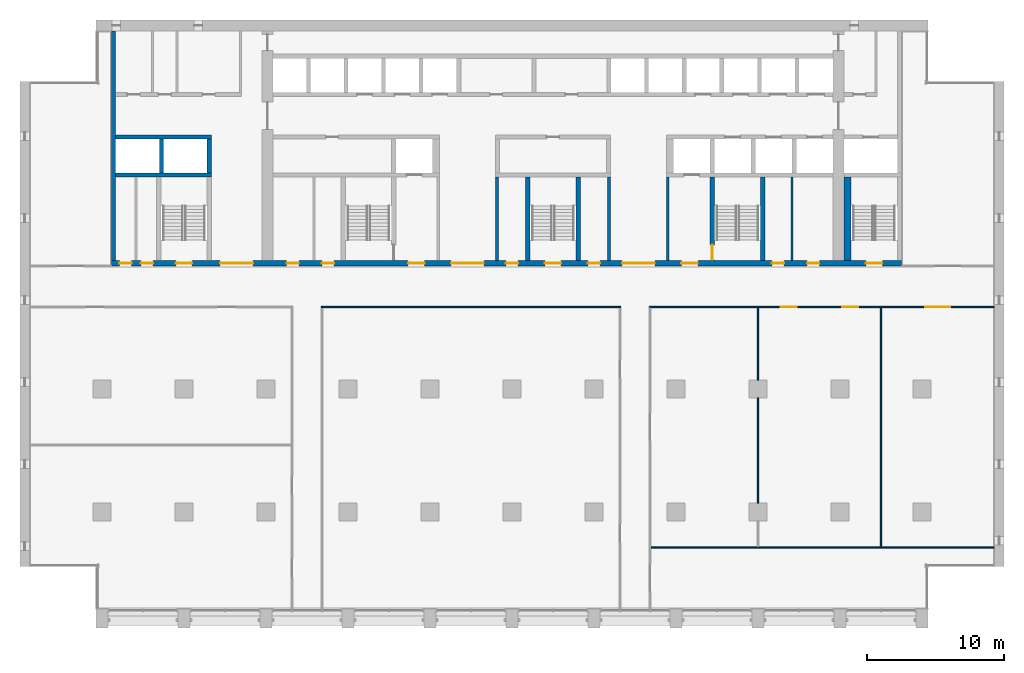
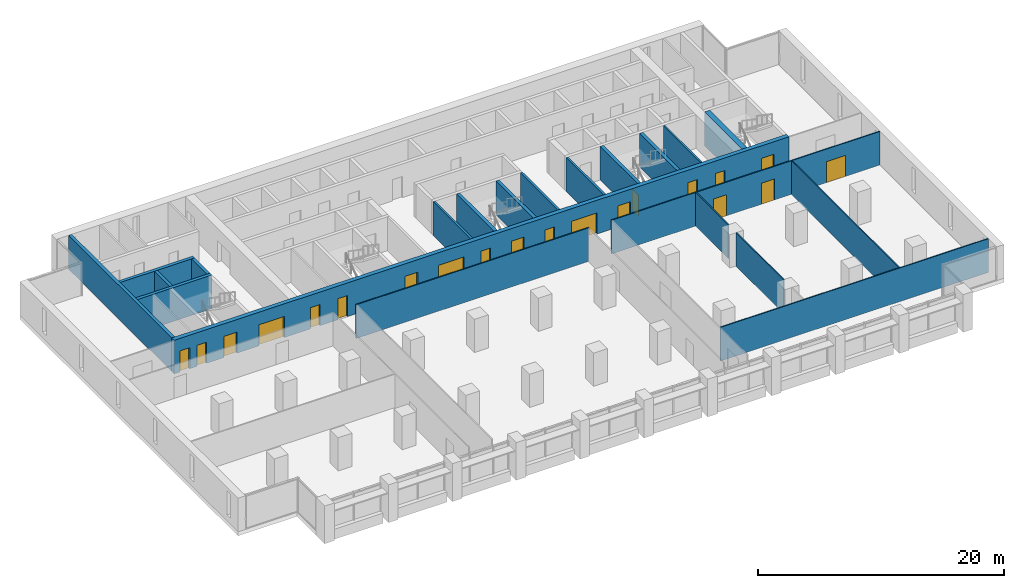
# One storey, part 9 of 15: 21 walls, 20 doors, 20 openings.
"""IFC4 building model written with IfcOpenShell, lengths in metres."""

from ifc_helpers import new_model, si_unit, direction, frame, frame_2d, origin, place, context, subcontext, project, spatial, rectangle, extrude, material, layer, layer_set, type_object, element, fill, save


model = new_model("IFC4")

# Units and contexts
model_context = context("Model", 3, precision=1e-05, world=origin(), true_north=direction((0.0, 1.0)))
body_context = subcontext(model_context, "Body", "Model", "MODEL_VIEW")
ifc_project = project(units=[si_unit("LENGTHUNIT", "METRE"), si_unit("AREAUNIT", "SQUARE_METRE"), si_unit("VOLUMEUNIT", "CUBIC_METRE"), si_unit("PLANEANGLEUNIT", "RADIAN"), si_unit("MASSUNIT", "GRAM", prefix="KILO")], contexts=[model_context])

# Site, building, storey
site_placement = place(None, origin())
site = spatial("IfcSite", under=ifc_project, at=site_placement, CompositionType="ELEMENT")
building_placement = place(site_placement, origin())
building = spatial("IfcBuilding", under=site, at=building_placement, Name="Calvaro Tower", CompositionType="ELEMENT")
storey_placement = place(building_placement, frame((0.0, 0.0, 132.5)))
storey = spatial("IfcBuildingStorey", under=building, at=storey_placement, Name="L33", CompositionType="ELEMENT", Elevation=132.5)

# Walls
ifc_material_1 = material(Name="Blockwork partition", Category="masonry")
ifc_layer_1 = layer(ifc_material_1, 0.14990234375)
ifc_layer_set_1 = layer_set([ifc_layer_1], Name="Blockwork partition")
wall_type_1 = type_object("IfcWallType", Name="Core partition 150 EI 60", PredefinedType="PARTITIONING", material=ifc_layer_set_1)
wall_1_placement = place(storey_placement, frame((56.5, 28.39990234375, 0.0), z_axis=(0.0, 0.0, 1.0), x_axis=(0.0, 1.0, 0.0)))
element("IfcWall", 1, at=wall_1_placement, inside=storey, type_object=wall_type_1, Name="Core partition", PredefinedType="PARTITIONING", context=body_context, shape_type="SweptSolid", body=[
    extrude(rectangle(XDim=6.10009765625, YDim=0.14990234375, at=frame_2d((3.050048828125, 0.0))), origin(), (0.0, 0.0, 1.0), 3.35009765625),
])
ifc_material_2 = material(Name="Blockwork partition", Category="masonry")
ifc_layer_2 = layer(ifc_material_2, 0.199951171875)
ifc_layer_set_2 = layer_set([ifc_layer_2], Name="Blockwork partition")
wall_type_2 = type_object("IfcWallType", Name="Core partition 200 REI 120", PredefinedType="PARTITIONING", material=ifc_layer_set_2)
for number, where, z_axis, x_axis, name in (
    (2, (34.89990234375, 28.39990234375, 0.0), (0.0, 0.0, 1.0), (0.0, 1.0, 0.0), "Core partition"),
    (3, (43.10009765625, 28.39990234375, 0.0), (0.0, 0.0, 1.0), (0.0, 1.0, 0.0), "Core partition"),
    (4, (47.39990234375, 28.39990234375, 0.0), (0.0, 0.0, 1.0), (0.0, 1.0, 0.0), "Core partition"),
):
    element("IfcWall", number, at=place(storey_placement, frame(where, z_axis=z_axis, x_axis=x_axis)), inside=storey, type_object=wall_type_2, Name=name, PredefinedType="PARTITIONING", context=body_context, shape_type="SweptSolid", body=[
        extrude(rectangle(XDim=6.10009765625, YDim=0.199951171875, at=frame_2d((3.050048828125, 0.0))), origin(), (0.0, 0.0, 1.0), 3.35009765625),
    ])
ifc_material_3 = material(Name="Concrete C60/75", Category="concrete")
ifc_layer_3 = layer(ifc_material_3, 0.300048828125)
ifc_layer_set_3 = layer_set([ifc_layer_3], Name="Concrete C60/75")
wall_type_3 = type_object("IfcWallType", Name="Core wall C60/75 300", PredefinedType="SHEAR", material=ifc_layer_set_3)
wall_2_placement = place(storey_placement, frame((6.85009765625, 28.39990234375, 0.0), z_axis=(0.0, 0.0, 1.0), x_axis=(0.0, 1.0, 0.0)))
element("IfcWall", 5, at=wall_2_placement, inside=storey, type_object=wall_type_3, Name="Core wall, boundary", PredefinedType="SHEAR", context=body_context, shape_type="SweptSolid", body=[
    extrude(rectangle(XDim=16.800048828125, YDim=0.300048828125, at=frame_2d((8.39990234375, 0.0))), origin(), (0.0, 0.0, 1.0), 3.35009765625),
])
for number, where, z_axis, x_axis, name in (
    (6, (37.14990234375, 28.39990234375, 0.0), (0.0, 0.0, 1.0), (0.0, 1.0, 0.0), "Core wall, stair enclosure"),
    (7, (40.85009765625, 28.39990234375, 0.0), (0.0, 0.0, 1.0), (0.0, 1.0, 0.0), "Core wall, stair enclosure"),
):
    element("IfcWall", number, at=place(storey_placement, frame(where, z_axis=z_axis, x_axis=x_axis)), inside=storey, type_object=wall_type_3, Name=name, PredefinedType="SHEAR", context=body_context, shape_type="SweptSolid", body=[
        extrude(rectangle(XDim=6.10009765625, YDim=0.300048828125, at=frame_2d((3.050048828125, 0.0))), origin(), (0.0, 0.0, 1.0), 3.35009765625),
    ])

# Wall, opening, door
wall_3_placement = place(storey_placement, frame((50.64990234375, 34.5, 0.0), z_axis=(0.0, 0.0, 1.0), x_axis=(0.0, -1.0, 0.0)))
wall_3 = element("IfcWall", 8, at=wall_3_placement, inside=storey, type_object=wall_type_3, Name="Core wall, stair enclosure", PredefinedType="SHEAR", context=body_context, shape_type="SweptSolid", body=[
    extrude(rectangle(XDim=6.10009765625, YDim=0.300048828125, at=frame_2d((3.050048828125, 0.0))), origin(), (0.0, 0.0, 1.0), 3.35009765625),
])
opening_1_placement = place(wall_3_placement, frame((4.949951171875, 0.0, 0.0)))
opening_1 = element("IfcOpeningElement", 9, at=opening_1_placement, cuts=wall_3, Name="Opening FD11D", PredefinedType="OPENING", context=body_context, shape_type="SweptSolid", body=[
    extrude(rectangle(XDim=1.10009765625, YDim=2.10009765625, at=frame_2d((0.550048828125, 1.050048828125))), frame((0.0, 0.159912109375, 0.0), z_axis=(0.0, -1.0, 0.0), x_axis=(1.0, 0.0, 0.0)), (0.0, 0.0, 1.0), 0.320068359375),
])
ifc_material_4 = material(Name="Steel door set", Category="steel")
door_type_1 = type_object("IfcDoorType", Name="Fire door 1100 FD30S", OperationType="SINGLE_SWING_LEFT", PredefinedType="DOOR", material=ifc_material_4)
door_1_placement = place(opening_1_placement, origin())
door_1 = element("IfcDoor", 10, at=door_1_placement, inside=storey, type_object=door_type_1, Name="Fire door", OperationType="SINGLE_SWING_RIGHT", OverallHeight=2.10009765625, OverallWidth=1.10009765625, PredefinedType="DOOR", context=body_context, shape_type="SweptSolid", body=[
    extrude(rectangle(XDim=1.10009765625, YDim=2.10009765625, at=frame_2d((0.550048828125, 1.050048828125))), frame((0.0, 0.02490234375, 0.0), z_axis=(0.0, -1.0, 0.0), x_axis=(1.0, 0.0, 0.0)), (0.0, 0.0, 1.0), 0.050048828125),
])
fill(opening_1, door_1)

# Walls
wall_4_placement = place(storey_placement, frame((54.35009765625, 28.39990234375, 0.0), z_axis=(0.0, 0.0, 1.0), x_axis=(0.0, 1.0, 0.0)))
element("IfcWall", 11, at=wall_4_placement, inside=storey, type_object=wall_type_3, Name="Core wall, stair enclosure", PredefinedType="SHEAR", context=body_context, shape_type="SweptSolid", body=[
    extrude(rectangle(XDim=6.10009765625, YDim=0.300048828125, at=frame_2d((3.050048828125, 0.0))), origin(), (0.0, 0.0, 1.0), 3.35009765625),
])
for number, where, z_axis, x_axis, name in (
    (12, (7.0, 34.64990234375, 0.0), (0.0, 0.0, 1.0), (1.0, 0.0, 0.0), "Core wall, lift shaft"),
    (13, (7.0, 37.449951171875, 0.0), (0.0, 0.0, 1.0), (1.0, 0.0, 0.0), "Core wall, lift shaft"),
):
    element("IfcWall", number, at=place(storey_placement, frame(where, z_axis=z_axis, x_axis=x_axis)), inside=storey, type_object=wall_type_3, Name=name, PredefinedType="SHEAR", context=body_context, shape_type="SweptSolid", body=[
        extrude(rectangle(XDim=7.0, YDim=0.300048828125, at=frame_2d((3.5, 0.0))), origin(), (0.0, 0.0, 1.0), 3.35009765625),
    ])
for number, where, z_axis, x_axis, name in (
    (14, (13.85009765625, 34.800048828125, 0.0), (0.0, 0.0, 1.0), (0.0, 1.0, 0.0), "Core wall, lift shaft"),
    (15, (10.35009765625, 34.800048828125, 0.0), (0.0, 0.0, 1.0), (0.0, 1.0, 0.0), "Core wall, lift shaft"),
):
    element("IfcWall", number, at=place(storey_placement, frame(where, z_axis=z_axis, x_axis=x_axis)), inside=storey, type_object=wall_type_3, Name=name, PredefinedType="SHEAR", context=body_context, shape_type="SweptSolid", body=[
        extrude(rectangle(XDim=2.5, YDim=0.300048828125, at=frame_2d((1.25, 0.0))), origin(), (0.0, 0.0, 1.0), 3.35009765625),
    ])

# Wall, openings, doors
ifc_material_5 = material(Name="Concrete C60/75", Category="concrete")
ifc_layer_4 = layer(ifc_material_5, 0.39990234375)
ifc_layer_set_4 = layer_set([ifc_layer_4], Name="Concrete C60/75")
wall_type_4 = type_object("IfcWallType", Name="Core wall C60/75 400", PredefinedType="SHEAR", material=ifc_layer_set_4)
wall_5_placement = place(storey_placement, frame((6.699951171875, 28.199951171875, 0.0), z_axis=(0.0, 0.0, 1.0), x_axis=(1.0, 0.0, 0.0)))
wall_5 = element("IfcWall", 16, at=wall_5_placement, inside=storey, type_object=wall_type_4, Name="Core wall, front", PredefinedType="SHEAR", context=body_context, shape_type="SweptSolid", body=[
    extrude(rectangle(XDim=57.800048828125, YDim=0.39990234375, at=frame_2d((28.89990234375, 0.0))), origin(), (0.0, 0.0, 1.0), 3.35009765625),
])
opening_2_placement = place(wall_5_placement, frame((12.8125, 0.0, 0.0)))
opening_2 = element("IfcOpeningElement", 17, at=opening_2_placement, cuts=wall_5, Name="Opening RD9E", PredefinedType="OPENING", context=body_context, shape_type="SweptSolid", body=[
    extrude(rectangle(XDim=0.89990234375, YDim=2.10009765625, at=frame_2d((0.449951171875, 1.050048828125))), frame((0.0, 0.2099609375, 0.0), z_axis=(0.0, -1.0, 0.0), x_axis=(1.0, 0.0, 0.0)), (0.0, 0.0, 1.0), 0.419921875),
])
opening_3_placement = place(wall_5_placement, frame((15.387451171875, 0.0, 0.0)))
opening_3 = element("IfcOpeningElement", 18, at=opening_3_placement, cuts=wall_5, Name="Opening RD9E", PredefinedType="OPENING", context=body_context, shape_type="SweptSolid", body=[
    extrude(rectangle(XDim=0.89990234375, YDim=2.10009765625, at=frame_2d((0.449951171875, 1.050048828125))), frame((0.0, 0.2099609375, 0.0), z_axis=(0.0, -1.0, 0.0), x_axis=(1.0, 0.0, 0.0)), (0.0, 0.0, 1.0), 0.419921875),
])
opening_4_placement = place(wall_5_placement, frame((48.3125, 0.0, 0.0)))
opening_4 = element("IfcOpeningElement", 19, at=opening_4_placement, cuts=wall_5, Name="Opening RD9E", PredefinedType="OPENING", context=body_context, shape_type="SweptSolid", body=[
    extrude(rectangle(XDim=0.89990234375, YDim=2.10009765625, at=frame_2d((0.449951171875, 1.050048828125))), frame((0.0, 0.2099609375, 0.0), z_axis=(0.0, -1.0, 0.0), x_axis=(1.0, 0.0, 0.0)), (0.0, 0.0, 1.0), 0.419921875),
])
opening_5_placement = place(wall_5_placement, frame((50.887451171875, 0.0, 0.0)))
opening_5 = element("IfcOpeningElement", 20, at=opening_5_placement, cuts=wall_5, Name="Opening RD9E", PredefinedType="OPENING", context=body_context, shape_type="SweptSolid", body=[
    extrude(rectangle(XDim=0.89990234375, YDim=2.10009765625, at=frame_2d((0.449951171875, 1.050048828125))), frame((0.0, 0.2099609375, 0.0), z_axis=(0.0, -1.0, 0.0), x_axis=(1.0, 0.0, 0.0)), (0.0, 0.0, 1.0), 0.419921875),
])
opening_6_placement = place(wall_5_placement, frame((0.5625, 0.0, 0.0)))
opening_6 = element("IfcOpeningElement", 21, at=opening_6_placement, cuts=wall_5, Name="Opening RD9E", PredefinedType="OPENING", context=body_context, shape_type="SweptSolid", body=[
    extrude(rectangle(XDim=0.89990234375, YDim=2.10009765625, at=frame_2d((0.449951171875, 1.050048828125))), frame((0.0, 0.2099609375, 0.0), z_axis=(0.0, -1.0, 0.0), x_axis=(1.0, 0.0, 0.0)), (0.0, 0.0, 1.0), 0.419921875),
])
opening_7_placement = place(wall_5_placement, frame((2.137451171875, 0.0, 0.0)))
opening_7 = element("IfcOpeningElement", 22, at=opening_7_placement, cuts=wall_5, Name="Opening RD9C", PredefinedType="OPENING", context=body_context, shape_type="SweptSolid", body=[
    extrude(rectangle(XDim=0.89990234375, YDim=2.10009765625, at=frame_2d((0.449951171875, 1.050048828125))), frame((0.0, 0.2099609375, 0.0), z_axis=(0.0, -1.0, 0.0), x_axis=(1.0, 0.0, 0.0)), (0.0, 0.0, 1.0), 0.419921875),
])
opening_8_placement = place(wall_5_placement, frame((4.699951171875, 0.0, 0.0)))
opening_8 = element("IfcOpeningElement", 23, at=opening_8_placement, cuts=wall_5, Name="Opening SD12D", PredefinedType="OPENING", context=body_context, shape_type="SweptSolid", body=[
    extrude(rectangle(XDim=1.199951171875, YDim=2.10009765625, at=frame_2d((0.60009765625, 1.050048828125))), frame((0.0, 0.2099609375, 0.0), z_axis=(0.0, -1.0, 0.0), x_axis=(1.0, 0.0, 0.0)), (0.0, 0.0, 1.0), 0.419921875),
])
opening_9_placement = place(wall_5_placement, frame((31.699951171875, 0.0, 0.0)))
opening_9 = element("IfcOpeningElement", 24, at=opening_9_placement, cuts=wall_5, Name="Opening SD12D", PredefinedType="OPENING", context=body_context, shape_type="SweptSolid", body=[
    extrude(rectangle(XDim=1.199951171875, YDim=2.10009765625, at=frame_2d((0.60009765625, 1.050048828125))), frame((0.0, 0.2099609375, 0.0), z_axis=(0.0, -1.0, 0.0), x_axis=(1.0, 0.0, 0.0)), (0.0, 0.0, 1.0), 0.419921875),
])
opening_10_placement = place(wall_5_placement, frame((55.199951171875, 0.0, 0.0)))
opening_10 = element("IfcOpeningElement", 25, at=opening_10_placement, cuts=wall_5, Name="Opening SD12D", PredefinedType="OPENING", context=body_context, shape_type="SweptSolid", body=[
    extrude(rectangle(XDim=1.199951171875, YDim=2.10009765625, at=frame_2d((0.60009765625, 1.050048828125))), frame((0.0, 0.2099609375, 0.0), z_axis=(0.0, -1.0, 0.0), x_axis=(1.0, 0.0, 0.0)), (0.0, 0.0, 1.0), 0.419921875),
])
opening_11_placement = place(wall_5_placement, frame((21.699951171875, 0.0, 0.0)))
opening_11 = element("IfcOpeningElement", 26, at=opening_11_placement, cuts=wall_5, Name="Opening FD12F", PredefinedType="OPENING", context=body_context, shape_type="SweptSolid", body=[
    extrude(rectangle(XDim=1.199951171875, YDim=2.10009765625, at=frame_2d((0.60009765625, 1.050048828125))), frame((0.0, 0.2099609375, 0.0), z_axis=(0.0, -1.0, 0.0), x_axis=(1.0, 0.0, 0.0)), (0.0, 0.0, 1.0), 0.419921875),
])
opening_12_placement = place(wall_5_placement, frame((41.699951171875, 0.0, 0.0)))
opening_12 = element("IfcOpeningElement", 27, at=opening_12_placement, cuts=wall_5, Name="Opening FD12F", PredefinedType="OPENING", context=body_context, shape_type="SweptSolid", body=[
    extrude(rectangle(XDim=1.199951171875, YDim=2.10009765625, at=frame_2d((0.60009765625, 1.050048828125))), frame((0.0, 0.2099609375, 0.0), z_axis=(0.0, -1.0, 0.0), x_axis=(1.0, 0.0, 0.0)), (0.0, 0.0, 1.0), 0.419921875),
])
opening_13_placement = place(wall_5_placement, frame((24.85009765625, 0.0, 0.0)))
opening_13 = element("IfcOpeningElement", 28, at=opening_13_placement, cuts=wall_5, Name="Opening DD24D", PredefinedType="OPENING", context=body_context, shape_type="SweptSolid", body=[
    extrude(rectangle(XDim=2.39990234375, YDim=2.10009765625, at=frame_2d((1.199951171875, 1.050048828125))), frame((0.0, 0.2099609375, 0.0), z_axis=(0.0, -1.0, 0.0), x_axis=(1.0, 0.0, 0.0)), (0.0, 0.0, 1.0), 0.419921875),
])
opening_14_placement = place(wall_5_placement, frame((37.35009765625, 0.0, 0.0)))
opening_14 = element("IfcOpeningElement", 29, at=opening_14_placement, cuts=wall_5, Name="Opening DD24D", PredefinedType="OPENING", context=body_context, shape_type="SweptSolid", body=[
    extrude(rectangle(XDim=2.39990234375, YDim=2.10009765625, at=frame_2d((1.199951171875, 1.050048828125))), frame((0.0, 0.2099609375, 0.0), z_axis=(0.0, -1.0, 0.0), x_axis=(1.0, 0.0, 0.0)), (0.0, 0.0, 1.0), 0.419921875),
])
opening_15_placement = place(wall_5_placement, frame((7.949951171875, 0.0, 0.0)))
opening_15 = element("IfcOpeningElement", 30, at=opening_15_placement, cuts=wall_5, Name="Opening DD24D", PredefinedType="OPENING", context=body_context, shape_type="SweptSolid", body=[
    extrude(rectangle(XDim=2.39990234375, YDim=2.10009765625, at=frame_2d((1.199951171875, 1.050048828125))), frame((0.0, 0.2099609375, 0.0), z_axis=(0.0, -1.0, 0.0), x_axis=(1.0, 0.0, 0.0)), (0.0, 0.0, 1.0), 0.419921875),
])
opening_16_placement = place(wall_5_placement, frame((28.85009765625, 0.0, 0.0)))
opening_16 = element("IfcOpeningElement", 31, at=opening_16_placement, cuts=wall_5, Name="Opening RD9E", PredefinedType="OPENING", context=body_context, shape_type="SweptSolid", body=[
    extrude(rectangle(XDim=0.89990234375, YDim=2.10009765625, at=frame_2d((0.449951171875, 1.050048828125))), frame((0.0, 0.2099609375, 0.0), z_axis=(0.0, -1.0, 0.0), x_axis=(1.0, 0.0, 0.0)), (0.0, 0.0, 1.0), 0.419921875),
])
opening_17_placement = place(wall_5_placement, frame((34.85009765625, 0.0, 0.0)))
opening_17 = element("IfcOpeningElement", 32, at=opening_17_placement, cuts=wall_5, Name="Opening RD9E", PredefinedType="OPENING", context=body_context, shape_type="SweptSolid", body=[
    extrude(rectangle(XDim=0.89990234375, YDim=2.10009765625, at=frame_2d((0.449951171875, 1.050048828125))), frame((0.0, 0.2099609375, 0.0), z_axis=(0.0, -1.0, 0.0), x_axis=(1.0, 0.0, 0.0)), (0.0, 0.0, 1.0), 0.419921875),
])
ifc_material_6 = material(Name="Steel door set", Category="steel")
door_type_2 = type_object("IfcDoorType", Name="Fire door 1200 FD60S", OperationType="SINGLE_SWING_LEFT", PredefinedType="DOOR", material=ifc_material_6)
door_2_placement = place(opening_11_placement, origin())
door_2 = element("IfcDoor", 33, at=door_2_placement, inside=storey, type_object=door_type_2, Name="Fire door", OperationType="SINGLE_SWING_LEFT", OverallHeight=2.10009765625, OverallWidth=1.199951171875, PredefinedType="DOOR", context=body_context, shape_type="SweptSolid", body=[
    extrude(rectangle(XDim=1.199951171875, YDim=2.10009765625, at=frame_2d((0.60009765625, 1.050048828125))), frame((0.0, 0.02490234375, 0.0), z_axis=(0.0, -1.0, 0.0), x_axis=(1.0, 0.0, 0.0)), (0.0, 0.0, 1.0), 0.050048828125),
])
fill(opening_11, door_2)
door_3_placement = place(opening_12_placement, origin())
door_3 = element("IfcDoor", 34, at=door_3_placement, inside=storey, type_object=door_type_2, Name="Fire door", OperationType="SINGLE_SWING_LEFT", OverallHeight=2.10009765625, OverallWidth=1.199951171875, PredefinedType="DOOR", context=body_context, shape_type="SweptSolid", body=[
    extrude(rectangle(XDim=1.199951171875, YDim=2.10009765625, at=frame_2d((0.60009765625, 1.050048828125))), frame((0.0, 0.02490234375, 0.0), z_axis=(0.0, -1.0, 0.0), x_axis=(1.0, 0.0, 0.0)), (0.0, 0.0, 1.0), 0.050048828125),
])
fill(opening_12, door_3)
ifc_material_7 = material(Name="Steel door set", Category="steel")
door_type_3 = type_object("IfcDoorType", Name="Lobby double door 2400 FD30S", OperationType="DOUBLE_DOOR_SINGLE_SWING", PredefinedType="DOOR", material=ifc_material_7)
door_4_placement = place(opening_13_placement, origin())
door_4 = element("IfcDoor", 35, at=door_4_placement, inside=storey, type_object=door_type_3, Name="Lobby double door", OperationType="DOUBLE_DOOR_SINGLE_SWING", OverallHeight=2.10009765625, OverallWidth=2.39990234375, PredefinedType="DOOR", context=body_context, shape_type="SweptSolid", body=[
    extrude(rectangle(XDim=2.39990234375, YDim=2.10009765625, at=frame_2d((1.199951171875, 1.050048828125))), frame((0.0, 0.02490234375, 0.0), z_axis=(0.0, -1.0, 0.0), x_axis=(1.0, 0.0, 0.0)), (0.0, 0.0, 1.0), 0.050048828125),
])
fill(opening_13, door_4)
door_5_placement = place(opening_14_placement, origin())
door_5 = element("IfcDoor", 36, at=door_5_placement, inside=storey, type_object=door_type_3, Name="Lobby double door", OperationType="DOUBLE_DOOR_SINGLE_SWING", OverallHeight=2.10009765625, OverallWidth=2.39990234375, PredefinedType="DOOR", context=body_context, shape_type="SweptSolid", body=[
    extrude(rectangle(XDim=2.39990234375, YDim=2.10009765625, at=frame_2d((1.199951171875, 1.050048828125))), frame((0.0, 0.02490234375, 0.0), z_axis=(0.0, -1.0, 0.0), x_axis=(1.0, 0.0, 0.0)), (0.0, 0.0, 1.0), 0.050048828125),
])
fill(opening_14, door_5)
door_6_placement = place(opening_15_placement, origin())
door_6 = element("IfcDoor", 37, at=door_6_placement, inside=storey, type_object=door_type_3, Name="Lobby double door", OperationType="DOUBLE_DOOR_SINGLE_SWING", OverallHeight=2.10009765625, OverallWidth=2.39990234375, PredefinedType="DOOR", context=body_context, shape_type="SweptSolid", body=[
    extrude(rectangle(XDim=2.39990234375, YDim=2.10009765625, at=frame_2d((1.199951171875, 1.050048828125))), frame((0.0, 0.02490234375, 0.0), z_axis=(0.0, -1.0, 0.0), x_axis=(1.0, 0.0, 0.0)), (0.0, 0.0, 1.0), 0.050048828125),
])
fill(opening_15, door_6)
ifc_material_8 = material(Name="Steel door set", Category="steel")
door_type_4 = type_object("IfcDoorType", Name="Room door 900 FD30", OperationType="SINGLE_SWING_LEFT", PredefinedType="DOOR", material=ifc_material_8)
door_7_placement = place(opening_7_placement, origin())
door_7 = element("IfcDoor", 38, at=door_7_placement, inside=storey, type_object=door_type_4, Name="Room door", OperationType="SINGLE_SWING_LEFT", OverallHeight=2.10009765625, OverallWidth=0.89990234375, PredefinedType="DOOR", context=body_context, shape_type="SweptSolid", body=[
    extrude(rectangle(XDim=0.89990234375, YDim=2.10009765625, at=frame_2d((0.449951171875, 1.050048828125))), frame((0.0, 0.02490234375, 0.0), z_axis=(0.0, -1.0, 0.0), x_axis=(1.0, 0.0, 0.0)), (0.0, 0.0, 1.0), 0.050048828125),
])
fill(opening_7, door_7)
ifc_material_9 = material(Name="Steel door set", Category="steel")
door_type_5 = type_object("IfcDoorType", Name="Room door 900 FD60", OperationType="SINGLE_SWING_LEFT", PredefinedType="DOOR", material=ifc_material_9)
door_8_placement = place(opening_2_placement, origin())
door_8 = element("IfcDoor", 39, at=door_8_placement, inside=storey, type_object=door_type_5, Name="Room door", OperationType="SINGLE_SWING_LEFT", OverallHeight=2.10009765625, OverallWidth=0.89990234375, PredefinedType="DOOR", context=body_context, shape_type="SweptSolid", body=[
    extrude(rectangle(XDim=0.89990234375, YDim=2.10009765625, at=frame_2d((0.449951171875, 1.050048828125))), frame((0.0, 0.02490234375, 0.0), z_axis=(0.0, -1.0, 0.0), x_axis=(1.0, 0.0, 0.0)), (0.0, 0.0, 1.0), 0.050048828125),
])
fill(opening_2, door_8)
door_9_placement = place(opening_3_placement, origin())
door_9 = element("IfcDoor", 40, at=door_9_placement, inside=storey, type_object=door_type_5, Name="Room door", OperationType="SINGLE_SWING_RIGHT", OverallHeight=2.10009765625, OverallWidth=0.89990234375, PredefinedType="DOOR", context=body_context, shape_type="SweptSolid", body=[
    extrude(rectangle(XDim=0.89990234375, YDim=2.10009765625, at=frame_2d((0.449951171875, 1.050048828125))), frame((0.0, 0.02490234375, 0.0), z_axis=(0.0, -1.0, 0.0), x_axis=(1.0, 0.0, 0.0)), (0.0, 0.0, 1.0), 0.050048828125),
])
fill(opening_3, door_9)
door_10_placement = place(opening_4_placement, origin())
door_10 = element("IfcDoor", 41, at=door_10_placement, inside=storey, type_object=door_type_5, Name="Room door", OperationType="SINGLE_SWING_LEFT", OverallHeight=2.10009765625, OverallWidth=0.89990234375, PredefinedType="DOOR", context=body_context, shape_type="SweptSolid", body=[
    extrude(rectangle(XDim=0.89990234375, YDim=2.10009765625, at=frame_2d((0.449951171875, 1.050048828125))), frame((0.0, 0.02490234375, 0.0), z_axis=(0.0, -1.0, 0.0), x_axis=(1.0, 0.0, 0.0)), (0.0, 0.0, 1.0), 0.050048828125),
])
fill(opening_4, door_10)
door_11_placement = place(opening_5_placement, origin())
door_11 = element("IfcDoor", 42, at=door_11_placement, inside=storey, type_object=door_type_5, Name="Room door", OperationType="SINGLE_SWING_LEFT", OverallHeight=2.10009765625, OverallWidth=0.89990234375, PredefinedType="DOOR", context=body_context, shape_type="SweptSolid", body=[
    extrude(rectangle(XDim=0.89990234375, YDim=2.10009765625, at=frame_2d((0.449951171875, 1.050048828125))), frame((0.0, 0.02490234375, 0.0), z_axis=(0.0, -1.0, 0.0), x_axis=(1.0, 0.0, 0.0)), (0.0, 0.0, 1.0), 0.050048828125),
])
fill(opening_5, door_11)
door_12_placement = place(opening_6_placement, origin())
door_12 = element("IfcDoor", 43, at=door_12_placement, inside=storey, type_object=door_type_5, Name="Room door", OperationType="SINGLE_SWING_LEFT", OverallHeight=2.10009765625, OverallWidth=0.89990234375, PredefinedType="DOOR", context=body_context, shape_type="SweptSolid", body=[
    extrude(rectangle(XDim=0.89990234375, YDim=2.10009765625, at=frame_2d((0.449951171875, 1.050048828125))), frame((0.0, 0.02490234375, 0.0), z_axis=(0.0, -1.0, 0.0), x_axis=(1.0, 0.0, 0.0)), (0.0, 0.0, 1.0), 0.050048828125),
])
fill(opening_6, door_12)
door_13_placement = place(opening_16_placement, origin())
door_13 = element("IfcDoor", 44, at=door_13_placement, inside=storey, type_object=door_type_5, Name="Room door", OperationType="SINGLE_SWING_LEFT", OverallHeight=2.10009765625, OverallWidth=0.89990234375, PredefinedType="DOOR", context=body_context, shape_type="SweptSolid", body=[
    extrude(rectangle(XDim=0.89990234375, YDim=2.10009765625, at=frame_2d((0.449951171875, 1.050048828125))), frame((0.0, 0.02490234375, 0.0), z_axis=(0.0, -1.0, 0.0), x_axis=(1.0, 0.0, 0.0)), (0.0, 0.0, 1.0), 0.050048828125),
])
fill(opening_16, door_13)
door_14_placement = place(opening_17_placement, origin())
door_14 = element("IfcDoor", 45, at=door_14_placement, inside=storey, type_object=door_type_5, Name="Room door", OperationType="SINGLE_SWING_LEFT", OverallHeight=2.10009765625, OverallWidth=0.89990234375, PredefinedType="DOOR", context=body_context, shape_type="SweptSolid", body=[
    extrude(rectangle(XDim=0.89990234375, YDim=2.10009765625, at=frame_2d((0.449951171875, 1.050048828125))), frame((0.0, 0.02490234375, 0.0), z_axis=(0.0, -1.0, 0.0), x_axis=(1.0, 0.0, 0.0)), (0.0, 0.0, 1.0), 0.050048828125),
])
fill(opening_17, door_14)
ifc_material_10 = material(Name="Steel door set", Category="steel")
door_type_6 = type_object("IfcDoorType", Name="Stair door 1200 FD30S", OperationType="SINGLE_SWING_LEFT", PredefinedType="DOOR", material=ifc_material_10)
door_15_placement = place(opening_8_placement, origin())
door_15 = element("IfcDoor", 46, at=door_15_placement, inside=storey, type_object=door_type_6, Name="Stair door", OperationType="SINGLE_SWING_LEFT", OverallHeight=2.10009765625, OverallWidth=1.199951171875, PredefinedType="DOOR", context=body_context, shape_type="SweptSolid", body=[
    extrude(rectangle(XDim=1.199951171875, YDim=2.10009765625, at=frame_2d((0.60009765625, 1.050048828125))), frame((0.0, 0.02490234375, 0.0), z_axis=(0.0, -1.0, 0.0), x_axis=(1.0, 0.0, 0.0)), (0.0, 0.0, 1.0), 0.050048828125),
])
fill(opening_8, door_15)
door_16_placement = place(opening_9_placement, origin())
door_16 = element("IfcDoor", 47, at=door_16_placement, inside=storey, type_object=door_type_6, Name="Stair door", OperationType="SINGLE_SWING_LEFT", OverallHeight=2.10009765625, OverallWidth=1.199951171875, PredefinedType="DOOR", context=body_context, shape_type="SweptSolid", body=[
    extrude(rectangle(XDim=1.199951171875, YDim=2.10009765625, at=frame_2d((0.60009765625, 1.050048828125))), frame((0.0, 0.02490234375, 0.0), z_axis=(0.0, -1.0, 0.0), x_axis=(1.0, 0.0, 0.0)), (0.0, 0.0, 1.0), 0.050048828125),
])
fill(opening_9, door_16)
door_17_placement = place(opening_10_placement, origin())
door_17 = element("IfcDoor", 48, at=door_17_placement, inside=storey, type_object=door_type_6, Name="Stair door", OperationType="SINGLE_SWING_LEFT", OverallHeight=2.10009765625, OverallWidth=1.199951171875, PredefinedType="DOOR", context=body_context, shape_type="SweptSolid", body=[
    extrude(rectangle(XDim=1.199951171875, YDim=2.10009765625, at=frame_2d((0.60009765625, 1.050048828125))), frame((0.0, 0.02490234375, 0.0), z_axis=(0.0, -1.0, 0.0), x_axis=(1.0, 0.0, 0.0)), (0.0, 0.0, 1.0), 0.050048828125),
])
fill(opening_10, door_17)

# Walls
ifc_material_11 = material(Name="Concrete C60/75", Category="concrete")
ifc_layer_5 = layer(ifc_material_11, 0.5)
ifc_layer_set_5 = layer_set([ifc_layer_5], Name="Concrete C60/75")
wall_type_5 = type_object("IfcWallType", Name="Core wall C60/75 500", PredefinedType="SHEAR", material=ifc_layer_set_5)
wall_6_placement = place(storey_placement, frame((60.550048828125, 28.39990234375, 0.0), z_axis=(0.0, 0.0, 1.0), x_axis=(0.0, 1.0, 0.0)))
element("IfcWall", 49, at=wall_6_placement, inside=storey, type_object=wall_type_5, Name="Core wall, stair enclosure", PredefinedType="SHEAR", context=body_context, shape_type="SweptSolid", body=[
    extrude(rectangle(XDim=6.10009765625, YDim=0.5, at=frame_2d((3.050048828125, 0.0))), origin(), (0.0, 0.0, 1.0), 3.35009765625),
])
ifc_material_12 = material(Name="Plasterboard on steel studs", Category="steel")
ifc_layer_6 = layer(ifc_material_12, 0.10009765625)
ifc_layer_set_6 = layer_set([ifc_layer_6], Name="Plasterboard on steel studs")
wall_type_6 = type_object("IfcWallType", Name="Partition 100", PredefinedType="PARTITIONING", material=ifc_layer_set_6)
wall_7_placement = place(storey_placement, frame((46.14990234375, 7.39990234375, 0.0), z_axis=(0.0, 0.0, 1.0), x_axis=(1.0, 0.0, 0.0)))
element("IfcWall", 50, at=wall_7_placement, inside=storey, type_object=wall_type_6, Name="Partition T20.W001", PredefinedType="PARTITIONING", context=body_context, shape_type="SweptSolid", body=[
    extrude(rectangle(XDim=25.150146484375, YDim=0.10009765625, at=frame_2d((12.5751953125, 0.0))), origin(), (0.0, 0.0, 1.0), 3.35009765625),
])
wall_8_placement = place(storey_placement, frame((22.050048828125, 25.0, 0.0), z_axis=(0.0, 0.0, 1.0), x_axis=(1.0, 0.0, 0.0)))
element("IfcWall", 51, at=wall_8_placement, inside=storey, type_object=wall_type_6, Name="Partition T20.W004", PredefinedType="PARTITIONING", context=body_context, shape_type="SweptSolid", body=[
    extrude(rectangle(XDim=21.89990234375, YDim=0.10009765625, at=frame_2d((10.949951171875, 0.0))), origin(), (0.0, 0.0, 1.0), 3.35009765625),
])

# Wall, openings, doors
wall_9_placement = place(storey_placement, frame((46.050048828125, 25.0, 0.0), z_axis=(0.0, 0.0, 1.0), x_axis=(1.0, 0.0, 0.0)))
wall_9 = element("IfcWall", 52, at=wall_9_placement, inside=storey, type_object=wall_type_6, Name="Partition T20.W005", PredefinedType="PARTITIONING", context=body_context, shape_type="SweptSolid", body=[
    extrude(rectangle(XDim=25.25, YDim=0.10009765625, at=frame_2d((12.625, 0.0))), origin(), (0.0, 0.0, 1.0), 3.35009765625),
])
opening_18_placement = place(wall_9_placement, frame((9.60009765625, 0.0, 0.0)))
opening_18 = element("IfcOpeningElement", 53, at=opening_18_placement, cuts=wall_9, Name="Opening T20.007", PredefinedType="OPENING", context=body_context, shape_type="SweptSolid", body=[
    extrude(rectangle(XDim=1.199951171875, YDim=2.10009765625, at=frame_2d((0.60009765625, 1.050048828125))), frame((0.0, 0.06005859375, 0.0), z_axis=(0.0, -1.0, 0.0), x_axis=(1.0, 0.0, 0.0)), (0.0, 0.0, 1.0), 0.1201171875),
])
opening_19_placement = place(wall_9_placement, frame((14.10009765625, 0.0, 0.0)))
opening_19 = element("IfcOpeningElement", 54, at=opening_19_placement, cuts=wall_9, Name="Opening T20.008", PredefinedType="OPENING", context=body_context, shape_type="SweptSolid", body=[
    extrude(rectangle(XDim=1.199951171875, YDim=2.10009765625, at=frame_2d((0.60009765625, 1.050048828125))), frame((0.0, 0.06005859375, 0.0), z_axis=(0.0, -1.0, 0.0), x_axis=(1.0, 0.0, 0.0)), (0.0, 0.0, 1.0), 0.1201171875),
])
opening_20_placement = place(wall_9_placement, frame((20.199951171875, 0.0, 0.0)))
opening_20 = element("IfcOpeningElement", 55, at=opening_20_placement, cuts=wall_9, Name="Opening T20.009", PredefinedType="OPENING", context=body_context, shape_type="SweptSolid", body=[
    extrude(rectangle(XDim=1.800048828125, YDim=2.10009765625, at=frame_2d((0.89990234375, 1.050048828125))), frame((0.0, 0.06005859375, 0.0), z_axis=(0.0, -1.0, 0.0), x_axis=(1.0, 0.0, 0.0)), (0.0, 0.0, 1.0), 0.1201171875),
])
ifc_material_13 = material(Name="Timber", Category="wood")
door_type_7 = type_object("IfcDoorType", Name="Internal double door 1800 x 2100", OperationType="DOUBLE_DOOR_SINGLE_SWING", PredefinedType="DOOR", material=ifc_material_13)
door_18_placement = place(opening_20_placement, origin())
door_18 = element("IfcDoor", 56, at=door_18_placement, inside=storey, type_object=door_type_7, Name="Door T20.009", OperationType="DOUBLE_DOOR_SINGLE_SWING", OverallHeight=2.10009765625, OverallWidth=1.800048828125, PredefinedType="DOOR", context=body_context, shape_type="SweptSolid", body=[
    extrude(rectangle(XDim=1.800048828125, YDim=2.10009765625, at=frame_2d((0.89990234375, 1.050048828125))), frame((0.0, 0.02490234375, 0.0), z_axis=(0.0, -1.0, 0.0), x_axis=(1.0, 0.0, 0.0)), (0.0, 0.0, 1.0), 0.050048828125),
])
fill(opening_20, door_18)
ifc_material_14 = material(Name="Timber", Category="wood")
door_type_8 = type_object("IfcDoorType", Name="Internal single door 1200 x 2100", OperationType="SINGLE_SWING_LEFT", PredefinedType="DOOR", material=ifc_material_14)
door_19_placement = place(opening_18_placement, origin())
door_19 = element("IfcDoor", 57, at=door_19_placement, inside=storey, type_object=door_type_8, Name="Door T20.007", OperationType="SINGLE_SWING_LEFT", OverallHeight=2.10009765625, OverallWidth=1.199951171875, PredefinedType="DOOR", context=body_context, shape_type="SweptSolid", body=[
    extrude(rectangle(XDim=1.199951171875, YDim=2.10009765625, at=frame_2d((0.60009765625, 1.050048828125))), frame((0.0, 0.02490234375, 0.0), z_axis=(0.0, -1.0, 0.0), x_axis=(1.0, 0.0, 0.0)), (0.0, 0.0, 1.0), 0.050048828125),
])
fill(opening_18, door_19)
door_20_placement = place(opening_19_placement, origin())
door_20 = element("IfcDoor", 58, at=door_20_placement, inside=storey, type_object=door_type_8, Name="Door T20.008", OperationType="SINGLE_SWING_RIGHT", OverallHeight=2.10009765625, OverallWidth=1.199951171875, PredefinedType="DOOR", context=body_context, shape_type="SweptSolid", body=[
    extrude(rectangle(XDim=1.199951171875, YDim=2.10009765625, at=frame_2d((0.60009765625, 1.050048828125))), frame((0.0, 0.02490234375, 0.0), z_axis=(0.0, -1.0, 0.0), x_axis=(1.0, 0.0, 0.0)), (0.0, 0.0, 1.0), 0.050048828125),
])
fill(opening_19, door_20)

# Walls
wall_10_placement = place(storey_placement, frame((54.0, 10.64990234375, 0.0), z_axis=(0.0, 0.0, 1.0), x_axis=(0.0, 1.0, 0.0)))
element("IfcWall", 59, at=wall_10_placement, inside=storey, type_object=wall_type_6, Name="Partition T20.W013", PredefinedType="PARTITIONING", context=body_context, shape_type="SweptSolid", body=[
    extrude(rectangle(XDim=7.7001953125, YDim=0.10009765625, at=frame_2d((3.85009765625, 0.0))), origin(), (0.0, 0.0, 1.0), 3.35009765625),
])
wall_11_placement = place(storey_placement, frame((54.0, 19.64990234375, 0.0), z_axis=(0.0, 0.0, 1.0), x_axis=(0.0, 1.0, 0.0)))
element("IfcWall", 60, at=wall_11_placement, inside=storey, type_object=wall_type_6, Name="Partition T20.W014", PredefinedType="PARTITIONING", context=body_context, shape_type="SweptSolid", body=[
    extrude(rectangle(XDim=5.300048828125, YDim=0.10009765625, at=frame_2d((2.64990234375, 0.0))), origin(), (0.0, 0.0, 1.0), 3.35009765625),
])
wall_12_placement = place(storey_placement, frame((63.0, 7.449951171875, 0.0), z_axis=(0.0, 0.0, 1.0), x_axis=(0.0, 1.0, 0.0)))
element("IfcWall", 61, at=wall_12_placement, inside=storey, type_object=wall_type_6, Name="Partition T20.W015", PredefinedType="PARTITIONING", context=body_context, shape_type="SweptSolid", body=[
    extrude(rectangle(XDim=17.5, YDim=0.10009765625, at=frame_2d((8.75, 0.0))), origin(), (0.0, 0.0, 1.0), 3.35009765625),
])

save(model, "model.ifc")
